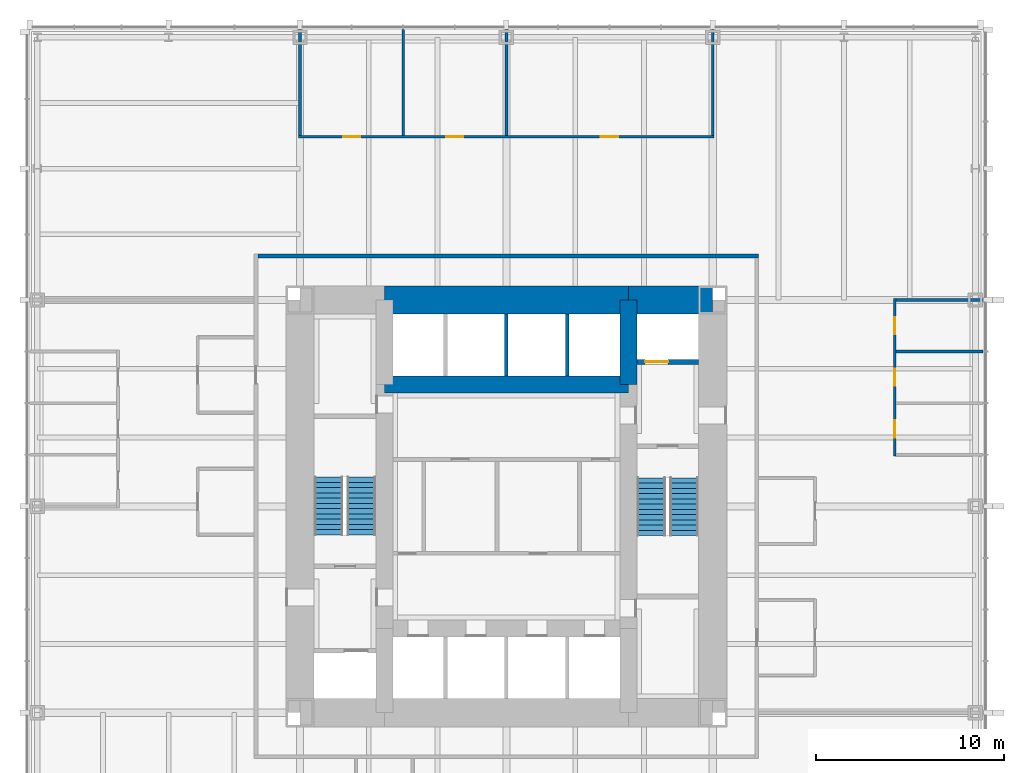
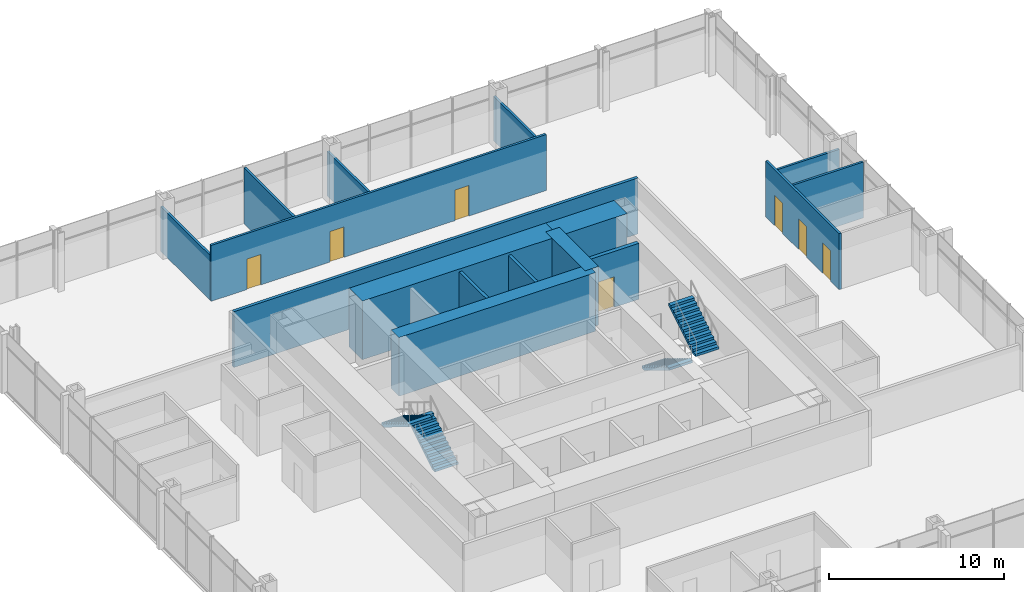
# One storey, part 11 of 12: 16 walls, 7 doors, 4 stair flights, 7 openings, 2 elements without a shape of their own.
"""IFC4 building model written with IfcOpenShell, lengths in metres."""

from ifc_helpers import new_model, si_unit, direction, frame, frame_2d, origin, place, context, subcontext, project, spatial, polyline, rectangle, outline, extrude, material, layer, layer_set, type_object, element, fill, aggregate, save


model = new_model("IFC4")

# Units and contexts
model_context = context("Model", 3, precision=1e-05, world=origin(), true_north=direction((0.0, 1.0)))
body_context = subcontext(model_context, "Body", "Model", "MODEL_VIEW")
ifc_project = project(units=[si_unit("LENGTHUNIT", "METRE"), si_unit("AREAUNIT", "SQUARE_METRE"), si_unit("VOLUMEUNIT", "CUBIC_METRE"), si_unit("PLANEANGLEUNIT", "RADIAN"), si_unit("MASSUNIT", "GRAM", prefix="KILO")], contexts=[model_context])

# Site, building, storey
site_placement = place(None, origin())
site = spatial("IfcSite", under=ifc_project, at=site_placement, CompositionType="ELEMENT")
building_placement = place(site_placement, origin())
building = spatial("IfcBuilding", under=site, at=building_placement, Name="Trevanion Tower", CompositionType="ELEMENT")
storey_placement = place(building_placement, frame((0.0, 0.0, 61.10009765625)))
storey = spatial("IfcBuildingStorey", under=building, at=storey_placement, Name="L14", CompositionType="ELEMENT", Elevation=61.10009765625)

# Walls
ifc_material_1 = material(Name="Concrete 10,000 psi", Category="concrete")
ifc_layer_1 = layer(ifc_material_1, 1.5)
ifc_layer_set_1 = layer_set([ifc_layer_1], Name="CW1 core wall 1500")
wall_type_1 = type_object("IfcWallType", Name="CW1 core wall 1500", PredefinedType="SHEAR", material=ifc_layer_set_1)
wall_1_placement = place(storey_placement, frame((11.0, 11.0, 0.0), z_axis=(0.0, 0.0, 1.0), x_axis=(-1.0, 0.0, 0.0)))
element("IfcWall", 1, at=wall_1_placement, inside=storey, type_object=wall_type_1, Name="CW1 CN1 L14", PredefinedType="SHEAR", context=body_context, shape_type="SweptSolid", body=[
    extrude(rectangle(XDim=4.5, YDim=1.5, at=frame_2d((2.25, 0.0))), origin(), (0.0, 0.0, 1.0), 4.099853515625),
])
wall_2_placement = place(storey_placement, frame((6.5, 11.0, 0.0), z_axis=(0.0, 0.0, 1.0), x_axis=(-1.0, 0.0, 0.0)))
element("IfcWall", 2, at=wall_2_placement, inside=storey, type_object=wall_type_1, Name="CW1 CN2 L14", PredefinedType="SHEAR", context=body_context, shape_type="SweptSolid", body=[
    extrude(rectangle(XDim=13.0, YDim=1.5, at=frame_2d((6.5, 0.0))), origin(), (0.0, 0.0, 1.0), 4.099853515625),
])
ifc_material_2 = material(Name="Concrete 10,000 psi", Category="concrete")
ifc_layer_2 = layer(ifc_material_2, 0.89990234375)
ifc_layer_set_2 = layer_set([ifc_layer_2], Name="CW2 core wall 900")
wall_type_2 = type_object("IfcWallType", Name="CW2 core wall 900", PredefinedType="SHEAR", material=ifc_layer_set_2)
wall_3_placement = place(storey_placement, frame((6.5, 6.5, 0.0), z_axis=(0.0, 0.0, 1.0), x_axis=(0.0, 1.0, 0.0)))
element("IfcWall", 3, at=wall_3_placement, inside=storey, type_object=wall_type_2, Name="CW2 RE3 L14", PredefinedType="SHEAR", context=body_context, shape_type="SweptSolid", body=[
    extrude(rectangle(XDim=4.5, YDim=0.89990234375, at=frame_2d((2.25, 0.0))), origin(), (0.0, 0.0, 1.0), 4.099853515625),
])
wall_4_placement = place(storey_placement, frame((6.5, 6.5, 0.0), z_axis=(0.0, 0.0, 1.0), x_axis=(-1.0, 0.0, 0.0)))
element("IfcWall", 4, at=wall_4_placement, inside=storey, type_object=wall_type_2, Name="CW2 RN L14", PredefinedType="SHEAR", context=body_context, shape_type="SweptSolid", body=[
    extrude(rectangle(XDim=13.0, YDim=0.89990234375, at=frame_2d((6.5, 0.0))), origin(), (0.0, 0.0, 1.0), 4.099853515625),
])

# Wall, openings, doors
ifc_material_3 = material(Name="Gypsum board on steel studs", Category="steel")
ifc_layer_3 = layer(ifc_material_3, 0.14990234375)
ifc_layer_set_3 = layer_set([ifc_layer_3], Name="PT1 partition 150")
wall_type_3 = type_object("IfcWallType", Name="PT1 partition 150", PredefinedType="PARTITIONING", material=ifc_layer_set_3)
wall_5_placement = place(storey_placement, frame((11.074951171875, 19.699951171875, 0.0), z_axis=(0.0, 0.0, 1.0), x_axis=(-1.0, 0.0, 0.0)))
wall_5 = element("IfcWall", 5, at=wall_5_placement, inside=storey, type_object=wall_type_3, Name="PT1 L14 FC1F", PredefinedType="PARTITIONING", context=body_context, shape_type="SweptSolid", body=[
    extrude(rectangle(XDim=22.14990234375, YDim=0.14990234375, at=frame_2d((11.074951171875, 0.0))), origin(), (0.0, 0.0, 1.0), 3.909912109375),
])
opening_1_placement = place(wall_5_placement, frame((5.117431640625, 0.0, 0.0)))
opening_1 = element("IfcOpeningElement", 6, at=opening_1_placement, cuts=wall_5, Name="Opening 14-019", PredefinedType="OPENING", context=body_context, shape_type="SweptSolid", body=[
    extrude(rectangle(XDim=0.9150390625, YDim=2.134033203125, at=frame_2d((0.45751953125, 1.06689453125))), frame((0.0, 0.0849609375, 0.0), z_axis=(0.0, -1.0, 0.0), x_axis=(1.0, 0.0, 0.0)), (0.0, 0.0, 1.0), 0.169921875),
])
opening_2_placement = place(wall_5_placement, frame((13.367431640625, 0.0, 0.0)))
opening_2 = element("IfcOpeningElement", 7, at=opening_2_placement, cuts=wall_5, Name="Opening 14-020", PredefinedType="OPENING", context=body_context, shape_type="SweptSolid", body=[
    extrude(rectangle(XDim=0.9150390625, YDim=2.134033203125, at=frame_2d((0.45751953125, 1.06689453125))), frame((0.0, 0.0849609375, 0.0), z_axis=(0.0, -1.0, 0.0), x_axis=(1.0, 0.0, 0.0)), (0.0, 0.0, 1.0), 0.169921875),
])
opening_3_placement = place(wall_5_placement, frame((18.867431640625, 0.0, 0.0)))
opening_3 = element("IfcOpeningElement", 8, at=opening_3_placement, cuts=wall_5, Name="Opening 14-021", PredefinedType="OPENING", context=body_context, shape_type="SweptSolid", body=[
    extrude(rectangle(XDim=0.9150390625, YDim=2.134033203125, at=frame_2d((0.45751953125, 1.06689453125))), frame((0.0, 0.0849609375, 0.0), z_axis=(0.0, -1.0, 0.0), x_axis=(1.0, 0.0, 0.0)), (0.0, 0.0, 1.0), 0.169921875),
])
ifc_material_4 = material(Name="Timber veneer, solid core", Category="wood")
door_type_1 = type_object("IfcDoorType", Name="D1 office and meeting room door", OperationType="SINGLE_SWING_LEFT", PredefinedType="DOOR", material=ifc_material_4)
door_1_placement = place(opening_1_placement, origin())
door_1 = element("IfcDoor", 9, at=door_1_placement, inside=storey, type_object=door_type_1, Name="Door 14-019", OperationType="SINGLE_SWING_LEFT", OverallHeight=2.134033203125, OverallWidth=0.9150390625, PredefinedType="DOOR", context=body_context, shape_type="SweptSolid", body=[
    extrude(rectangle(XDim=0.9150390625, YDim=2.134033203125, at=frame_2d((0.45751953125, 1.06689453125))), frame((0.0, 0.02490234375, 0.0), z_axis=(0.0, -1.0, 0.0), x_axis=(1.0, 0.0, 0.0)), (0.0, 0.0, 1.0), 0.050048828125),
])
fill(opening_1, door_1)
door_2_placement = place(opening_2_placement, origin())
door_2 = element("IfcDoor", 10, at=door_2_placement, inside=storey, type_object=door_type_1, Name="Door 14-020", OperationType="SINGLE_SWING_LEFT", OverallHeight=2.134033203125, OverallWidth=0.9150390625, PredefinedType="DOOR", context=body_context, shape_type="SweptSolid", body=[
    extrude(rectangle(XDim=0.9150390625, YDim=2.134033203125, at=frame_2d((0.45751953125, 1.06689453125))), frame((0.0, 0.02490234375, 0.0), z_axis=(0.0, -1.0, 0.0), x_axis=(1.0, 0.0, 0.0)), (0.0, 0.0, 1.0), 0.050048828125),
])
fill(opening_2, door_2)
door_3_placement = place(opening_3_placement, origin())
door_3 = element("IfcDoor", 11, at=door_3_placement, inside=storey, type_object=door_type_1, Name="Door 14-021", OperationType="SINGLE_SWING_LEFT", OverallHeight=2.134033203125, OverallWidth=0.9150390625, PredefinedType="DOOR", context=body_context, shape_type="SweptSolid", body=[
    extrude(rectangle(XDim=0.9150390625, YDim=2.134033203125, at=frame_2d((0.45751953125, 1.06689453125))), frame((0.0, 0.02490234375, 0.0), z_axis=(0.0, -1.0, 0.0), x_axis=(1.0, 0.0, 0.0)), (0.0, 0.0, 1.0), 0.050048828125),
])
fill(opening_3, door_3)

# Walls
for number, where, z_axis, x_axis, name in (
    (12, (11.0, 19.77490234375, 0.0), (0.0, 0.0, 1.0), (0.0, 1.0, 0.0), "PT1 L14 FC1S0"),
    (13, (0.0, 19.77490234375, 0.0), (0.0, 0.0, 1.0), (0.0, 1.0, 0.0), "PT1 L14 FC1S4"),
):
    element("IfcWall", number, at=place(storey_placement, frame(where, z_axis=z_axis, x_axis=x_axis)), inside=storey, type_object=wall_type_3, Name=name, PredefinedType="PARTITIONING", context=body_context, shape_type="SweptSolid", body=[
        extrude(rectangle(XDim=5.64013671875, YDim=0.14990234375, at=frame_2d((2.820068359375, 0.0))), origin(), (0.0, 0.0, 1.0), 3.130126953125),
    ])
wall_6_placement = place(storey_placement, frame((-5.5, 19.77490234375, 0.0), z_axis=(0.0, 0.0, 1.0), x_axis=(0.0, 1.0, 0.0)))
element("IfcWall", 14, at=wall_6_placement, inside=storey, type_object=wall_type_3, Name="PT1 L14 FC1S6", PredefinedType="PARTITIONING", context=body_context, shape_type="SweptSolid", body=[
    extrude(rectangle(XDim=5.64013671875, YDim=0.14990234375, at=frame_2d((2.820068359375, 0.0))), origin(), (0.0, 0.0, 1.0), 3.909912109375),
])
wall_7_placement = place(storey_placement, frame((-11.0, 19.77490234375, 0.0), z_axis=(0.0, 0.0, 1.0), x_axis=(0.0, 1.0, 0.0)))
element("IfcWall", 15, at=wall_7_placement, inside=storey, type_object=wall_type_3, Name="PT1 L14 FC1S8", PredefinedType="PARTITIONING", context=body_context, shape_type="SweptSolid", body=[
    extrude(rectangle(XDim=5.64013671875, YDim=0.14990234375, at=frame_2d((2.820068359375, 0.0))), origin(), (0.0, 0.0, 1.0), 3.130126953125),
])

# Wall, openings, doors
wall_8_placement = place(storey_placement, frame((20.699951171875, 2.675048828125, 0.0), z_axis=(0.0, 0.0, 1.0), x_axis=(0.0, 1.0, 0.0)))
wall_8 = element("IfcWall", 16, at=wall_8_placement, inside=storey, type_object=wall_type_3, Name="PT1 L14 FC0F", PredefinedType="PARTITIONING", context=body_context, shape_type="SweptSolid", body=[
    extrude(rectangle(XDim=8.39990234375, YDim=0.14990234375, at=frame_2d((4.199951171875, 0.0))), origin(), (0.0, 0.0, 1.0), 3.909912109375),
])
opening_4_placement = place(wall_8_placement, frame((0.992431640625, 0.0, 0.0)))
opening_4 = element("IfcOpeningElement", 17, at=opening_4_placement, cuts=wall_8, Name="Opening 14-024", PredefinedType="OPENING", context=body_context, shape_type="SweptSolid", body=[
    extrude(rectangle(XDim=0.9150390625, YDim=2.134033203125, at=frame_2d((0.45751953125, 1.06689453125))), frame((0.0, 0.0849609375, 0.0), z_axis=(0.0, -1.0, 0.0), x_axis=(1.0, 0.0, 0.0)), (0.0, 0.0, 1.0), 0.169921875),
])
opening_5_placement = place(wall_8_placement, frame((3.742431640625, 0.0, 0.0)))
opening_5 = element("IfcOpeningElement", 18, at=opening_5_placement, cuts=wall_8, Name="Opening 14-025", PredefinedType="OPENING", context=body_context, shape_type="SweptSolid", body=[
    extrude(rectangle(XDim=0.9150390625, YDim=2.134033203125, at=frame_2d((0.45751953125, 1.06689453125))), frame((0.0, 0.0849609375, 0.0), z_axis=(0.0, -1.0, 0.0), x_axis=(1.0, 0.0, 0.0)), (0.0, 0.0, 1.0), 0.169921875),
])
opening_6_placement = place(wall_8_placement, frame((6.492431640625, 0.0, 0.0)))
opening_6 = element("IfcOpeningElement", 19, at=opening_6_placement, cuts=wall_8, Name="Opening 14-026", PredefinedType="OPENING", context=body_context, shape_type="SweptSolid", body=[
    extrude(rectangle(XDim=0.9150390625, YDim=2.134033203125, at=frame_2d((0.45751953125, 1.06689453125))), frame((0.0, 0.0849609375, 0.0), z_axis=(0.0, -1.0, 0.0), x_axis=(1.0, 0.0, 0.0)), (0.0, 0.0, 1.0), 0.169921875),
])
door_4_placement = place(opening_4_placement, origin())
door_4 = element("IfcDoor", 20, at=door_4_placement, inside=storey, type_object=door_type_1, Name="Door 14-024", OperationType="SINGLE_SWING_LEFT", OverallHeight=2.134033203125, OverallWidth=0.9150390625, PredefinedType="DOOR", context=body_context, shape_type="SweptSolid", body=[
    extrude(rectangle(XDim=0.9150390625, YDim=2.134033203125, at=frame_2d((0.45751953125, 1.06689453125))), frame((0.0, 0.02490234375, 0.0), z_axis=(0.0, -1.0, 0.0), x_axis=(1.0, 0.0, 0.0)), (0.0, 0.0, 1.0), 0.050048828125),
])
fill(opening_4, door_4)
door_5_placement = place(opening_5_placement, origin())
door_5 = element("IfcDoor", 21, at=door_5_placement, inside=storey, type_object=door_type_1, Name="Door 14-025", OperationType="SINGLE_SWING_LEFT", OverallHeight=2.134033203125, OverallWidth=0.9150390625, PredefinedType="DOOR", context=body_context, shape_type="SweptSolid", body=[
    extrude(rectangle(XDim=0.9150390625, YDim=2.134033203125, at=frame_2d((0.45751953125, 1.06689453125))), frame((0.0, 0.02490234375, 0.0), z_axis=(0.0, -1.0, 0.0), x_axis=(1.0, 0.0, 0.0)), (0.0, 0.0, 1.0), 0.050048828125),
])
fill(opening_5, door_5)
door_6_placement = place(opening_6_placement, origin())
door_6 = element("IfcDoor", 22, at=door_6_placement, inside=storey, type_object=door_type_1, Name="Door 14-026", OperationType="SINGLE_SWING_LEFT", OverallHeight=2.134033203125, OverallWidth=0.9150390625, PredefinedType="DOOR", context=body_context, shape_type="SweptSolid", body=[
    extrude(rectangle(XDim=0.9150390625, YDim=2.134033203125, at=frame_2d((0.45751953125, 1.06689453125))), frame((0.0, 0.02490234375, 0.0), z_axis=(0.0, -1.0, 0.0), x_axis=(1.0, 0.0, 0.0)), (0.0, 0.0, 1.0), 0.050048828125),
])
fill(opening_6, door_6)

# Walls
wall_9_placement = place(storey_placement, frame((20.77490234375, 8.25, 0.0), z_axis=(0.0, 0.0, 1.0), x_axis=(1.0, 0.0, 0.0)))
element("IfcWall", 23, at=wall_9_placement, inside=storey, type_object=wall_type_3, Name="PT1 L14 FC0S2", PredefinedType="PARTITIONING", context=body_context, shape_type="SweptSolid", body=[
    extrude(rectangle(XDim=4.64013671875, YDim=0.14990234375, at=frame_2d((2.320068359375, 0.0))), origin(), (0.0, 0.0, 1.0), 3.909912109375),
])
wall_10_placement = place(storey_placement, frame((20.77490234375, 11.0, 0.0), z_axis=(0.0, 0.0, 1.0), x_axis=(1.0, 0.0, 0.0)))
element("IfcWall", 24, at=wall_10_placement, inside=storey, type_object=wall_type_3, Name="PT1 L14 FC0S3", PredefinedType="PARTITIONING", context=body_context, shape_type="SweptSolid", body=[
    extrude(rectangle(XDim=4.64013671875, YDim=0.14990234375, at=frame_2d((2.320068359375, 0.0))), origin(), (0.0, 0.0, 1.0), 3.130126953125),
])
ifc_material_5 = material(Name="Concrete masonry, grouted", Category="masonry")
ifc_layer_4 = layer(ifc_material_5, 0.199951171875)
ifc_layer_set_4 = layer_set([ifc_layer_4], Name="PT2 partition 200 1 HR")
wall_type_4 = type_object("IfcWallType", Name="PT2 partition 200 1 HR", PredefinedType="PARTITIONING", material=ifc_layer_set_4)
wall_11_placement = place(storey_placement, frame((13.449951171875, 13.35009765625, 0.0), z_axis=(0.0, 0.0, 1.0), x_axis=(-1.0, 0.0, 0.0)))
element("IfcWall", 25, at=wall_11_placement, inside=storey, type_object=wall_type_4, Name="PT2 L14 OC1", PredefinedType="PARTITIONING", context=body_context, shape_type="SweptSolid", body=[
    extrude(rectangle(XDim=26.699951171875, YDim=0.199951171875, at=frame_2d((13.35009765625, 0.0))), origin(), (0.0, 0.0, 1.0), 3.909912109375),
])
ifc_material_6 = material(Name="Concrete masonry, grouted", Category="masonry")
ifc_layer_5 = layer(ifc_material_6, 0.199951171875)
ifc_layer_set_5 = layer_set([ifc_layer_5], Name="PT2 partition 200 2 HR")
wall_type_5 = type_object("IfcWallType", Name="PT2 partition 200 2 HR", PredefinedType="PARTITIONING", material=ifc_layer_set_5)
for number, where, z_axis, x_axis, name in (
    (26, (0.0, 6.949951171875, 0.0), (0.0, 0.0, 1.0), (0.0, 1.0, 0.0), "PT2 L14 NS1"),
    (27, (3.25, 6.949951171875, 0.0), (0.0, 0.0, 1.0), (0.0, 1.0, 0.0), "PT2 L14 NS2"),
):
    element("IfcWall", number, at=place(storey_placement, frame(where, z_axis=z_axis, x_axis=x_axis)), inside=storey, type_object=wall_type_5, Name=name, PredefinedType="PARTITIONING", context=body_context, shape_type="SweptSolid", body=[
        extrude(rectangle(XDim=3.300048828125, YDim=0.199951171875, at=frame_2d((1.64990234375, 0.0))), origin(), (0.0, 0.0, 1.0), 3.909912109375),
    ])

# Wall, opening, door
ifc_material_7 = material(Name="Concrete masonry, grouted, two-hour", Category="masonry")
ifc_layer_6 = layer(ifc_material_7, 0.25)
ifc_layer_set_6 = layer_set([ifc_layer_6], Name="PT3 partition 250 2 HR")
wall_type_6 = type_object("IfcWallType", Name="PT3 partition 250 2 HR", PredefinedType="PARTITIONING", material=ifc_layer_set_6)
wall_12_placement = place(storey_placement, frame((6.949951171875, 7.699951171875, 0.0), z_axis=(0.0, 0.0, 1.0), x_axis=(1.0, 0.0, 0.0)))
wall_12 = element("IfcWall", 28, at=wall_12_placement, inside=storey, type_object=wall_type_6, Name="PT3 L14 EP3", PredefinedType="PARTITIONING", context=body_context, shape_type="SweptSolid", body=[
    extrude(rectangle(XDim=3.300048828125, YDim=0.25, at=frame_2d((1.64990234375, 0.0))), origin(), (0.0, 0.0, 1.0), 3.909912109375),
])
opening_7_placement = place(wall_12_placement, frame((0.449951171875, 0.0, 0.0)))
opening_7 = element("IfcOpeningElement", 29, at=opening_7_placement, cuts=wall_12, Name="Opening 14-007", PredefinedType="OPENING", context=body_context, shape_type="SweptSolid", body=[
    extrude(rectangle(XDim=1.218994140625, YDim=2.134033203125, at=frame_2d((0.609375, 1.06689453125))), frame((0.0, 0.135009765625, 0.0), z_axis=(0.0, -1.0, 0.0), x_axis=(1.0, 0.0, 0.0)), (0.0, 0.0, 1.0), 0.27001953125),
])
ifc_material_8 = material(Name="Stainless steel, fire rated", Category="steel")
door_type_2 = type_object("IfcDoorType", Name="LD2 fire service lift landing door", OperationType="SLIDING_TO_LEFT", PredefinedType="DOOR", material=ifc_material_8)
door_7_placement = place(opening_7_placement, origin())
door_7 = element("IfcDoor", 30, at=door_7_placement, inside=storey, type_object=door_type_2, Name="Door 14-007", OperationType="SLIDING_TO_LEFT", OverallHeight=2.134033203125, OverallWidth=1.218994140625, PredefinedType="DOOR", context=body_context, shape_type="SweptSolid", body=[
    extrude(rectangle(XDim=1.218994140625, YDim=2.134033203125, at=frame_2d((0.609375, 1.06689453125))), frame((0.0, 0.02490234375, 0.0), z_axis=(0.0, -1.0, 0.0), x_axis=(1.0, 0.0, 0.0)), (0.0, 0.0, 1.0), 0.050048828125),
])
fill(opening_7, door_7)

# Stair, stair flights
ifc_material_9 = material(Name="Concrete 5,000 psi on steel stringers", Category="concrete")
stair_type = type_object("IfcStairType", Name="ST stair", PredefinedType="HALF_TURN_STAIR", material=ifc_material_9)
stair_1_placement = place(storey_placement, origin())
stair_1 = element("IfcStair", 31, at=stair_1_placement, inside=storey, type_object=stair_type, Name="ST1 L14", PredefinedType="HALF_TURN_STAIR")
ifc_material_10 = material(Name="Concrete 5,000 psi in steel pan", Category="concrete")
stair_flight_type = type_object("IfcStairFlightType", Name="STF stair flight", PredefinedType="STRAIGHT", material=ifc_material_10)
stair_flight_1_placement = place(storey_placement, frame((7.72509765625, 1.52490234375, 0.0), z_axis=(0.0, 0.0, 1.0), x_axis=(0.0, -1.0, 0.0)))
stair_flight_1 = element("IfcStairFlight", 32, at=stair_flight_1_placement, type_object=stair_flight_type, Name="ST1 flight 1", NumberOfRisers=12, NumberOfTreads=11, PredefinedType="STRAIGHT", RiserHeight=0.170833333, TreadLength=0.28, context=body_context, shape_type="SweptSolid", body=[
    extrude(outline(polyline([(0.0, 0.0), (0.0, 0.1708984375), (0.280029296875, 0.1708984375), (0.280029296875, 0.341552734375), (0.56005859375, 0.341552734375), (0.56005859375, 0.512451171875), (0.840087890625, 0.512451171875), (0.840087890625, 0.683349609375), (1.1201171875, 0.683349609375), (1.1201171875, 0.854248046875), (1.39990234375, 0.854248046875), (1.39990234375, 1.02490234375), (1.679931640625, 1.02490234375), (1.679931640625, 1.19580078125), (1.9599609375, 1.19580078125), (1.9599609375, 1.36669921875), (2.239990234375, 1.36669921875), (2.239990234375, 1.53759765625), (2.52001953125, 1.53759765625), (2.52001953125, 1.708251953125), (2.800048828125, 1.708251953125), (2.800048828125, 1.879150390625), (3.080078125, 1.879150390625), (3.080078125, 2.050048828125), (3.080078125, 1.70361328125), (0.287841796875, 0.0), (0.0, 0.0)])), frame((0.0, 0.77490234375, 0.0), z_axis=(0.0, -1.0, 0.0), x_axis=(1.0, 0.0, 0.0)), (0.0, 0.0, 1.0), 1.550048828125),
])
stair_flight_2_placement = place(storey_placement, frame((9.47509765625, -1.554931640625, 2.0498046875), z_axis=(0.0, 0.0, 1.0), x_axis=(0.0, 1.0, 0.0)))
stair_flight_2 = element("IfcStairFlight", 33, at=stair_flight_2_placement, type_object=stair_flight_type, Name="ST1 flight 2", NumberOfRisers=12, NumberOfTreads=11, PredefinedType="STRAIGHT", RiserHeight=0.170833333, TreadLength=0.28, context=body_context, shape_type="SweptSolid", body=[
    extrude(outline(polyline([(0.0, 0.0), (0.0, 0.1708984375), (0.280029296875, 0.1708984375), (0.280029296875, 0.341552734375), (0.56005859375, 0.341552734375), (0.56005859375, 0.512451171875), (0.840087890625, 0.512451171875), (0.840087890625, 0.683349609375), (1.1201171875, 0.683349609375), (1.1201171875, 0.854248046875), (1.39990234375, 0.854248046875), (1.39990234375, 1.02490234375), (1.679931640625, 1.02490234375), (1.679931640625, 1.19580078125), (1.9599609375, 1.19580078125), (1.9599609375, 1.36669921875), (2.239990234375, 1.36669921875), (2.239990234375, 1.53759765625), (2.52001953125, 1.53759765625), (2.52001953125, 1.708251953125), (2.800048828125, 1.708251953125), (2.800048828125, 1.879150390625), (3.080078125, 1.879150390625), (3.080078125, 2.050048828125), (3.080078125, 1.70361328125), (0.287841796875, 0.0), (0.0, 0.0)])), frame((0.0, 0.77490234375, 0.0), z_axis=(0.0, -1.0, 0.0), x_axis=(1.0, 0.0, 0.0)), (0.0, 0.0, 1.0), 1.550048828125),
])
aggregate(stair_1, [stair_flight_1, stair_flight_2])

stair_2_placement = place(storey_placement, origin())
stair_2 = element("IfcStair", 34, at=stair_2_placement, inside=storey, type_object=stair_type, Name="ST2 L14", PredefinedType="HALF_TURN_STAIR")
stair_flight_3_placement = place(storey_placement, frame((-7.72509765625, -1.52490234375, 0.0), z_axis=(0.0, 0.0, 1.0), x_axis=(0.0, 1.0, 0.0)))
stair_flight_3 = element("IfcStairFlight", 35, at=stair_flight_3_placement, type_object=stair_flight_type, Name="ST2 flight 1", NumberOfRisers=12, NumberOfTreads=11, PredefinedType="STRAIGHT", RiserHeight=0.170833333, TreadLength=0.28, context=body_context, shape_type="SweptSolid", body=[
    extrude(outline(polyline([(0.0, 0.0), (0.0, 0.1708984375), (0.280029296875, 0.1708984375), (0.280029296875, 0.341552734375), (0.56005859375, 0.341552734375), (0.56005859375, 0.512451171875), (0.840087890625, 0.512451171875), (0.840087890625, 0.683349609375), (1.1201171875, 0.683349609375), (1.1201171875, 0.854248046875), (1.39990234375, 0.854248046875), (1.39990234375, 1.02490234375), (1.679931640625, 1.02490234375), (1.679931640625, 1.19580078125), (1.9599609375, 1.19580078125), (1.9599609375, 1.36669921875), (2.239990234375, 1.36669921875), (2.239990234375, 1.53759765625), (2.52001953125, 1.53759765625), (2.52001953125, 1.708251953125), (2.800048828125, 1.708251953125), (2.800048828125, 1.879150390625), (3.080078125, 1.879150390625), (3.080078125, 2.050048828125), (3.080078125, 1.70361328125), (0.287841796875, 0.0), (0.0, 0.0)])), frame((0.0, 0.77490234375, 0.0), z_axis=(0.0, -1.0, 0.0), x_axis=(1.0, 0.0, 0.0)), (0.0, 0.0, 1.0), 1.550048828125),
])
stair_flight_4_placement = place(storey_placement, frame((-9.47509765625, 1.554931640625, 2.0498046875), z_axis=(0.0, 0.0, 1.0), x_axis=(0.0, -1.0, 0.0)))
stair_flight_4 = element("IfcStairFlight", 36, at=stair_flight_4_placement, type_object=stair_flight_type, Name="ST2 flight 2", NumberOfRisers=12, NumberOfTreads=11, PredefinedType="STRAIGHT", RiserHeight=0.170833333, TreadLength=0.28, context=body_context, shape_type="SweptSolid", body=[
    extrude(outline(polyline([(0.0, 0.0), (0.0, 0.1708984375), (0.280029296875, 0.1708984375), (0.280029296875, 0.341552734375), (0.56005859375, 0.341552734375), (0.56005859375, 0.512451171875), (0.840087890625, 0.512451171875), (0.840087890625, 0.683349609375), (1.1201171875, 0.683349609375), (1.1201171875, 0.854248046875), (1.39990234375, 0.854248046875), (1.39990234375, 1.02490234375), (1.679931640625, 1.02490234375), (1.679931640625, 1.19580078125), (1.9599609375, 1.19580078125), (1.9599609375, 1.36669921875), (2.239990234375, 1.36669921875), (2.239990234375, 1.53759765625), (2.52001953125, 1.53759765625), (2.52001953125, 1.708251953125), (2.800048828125, 1.708251953125), (2.800048828125, 1.879150390625), (3.080078125, 1.879150390625), (3.080078125, 2.050048828125), (3.080078125, 1.70361328125), (0.287841796875, 0.0), (0.0, 0.0)])), frame((0.0, 0.77490234375, 0.0), z_axis=(0.0, -1.0, 0.0), x_axis=(1.0, 0.0, 0.0)), (0.0, 0.0, 1.0), 1.550048828125),
])
aggregate(stair_2, [stair_flight_3, stair_flight_4])

save(model, "model.ifc")
